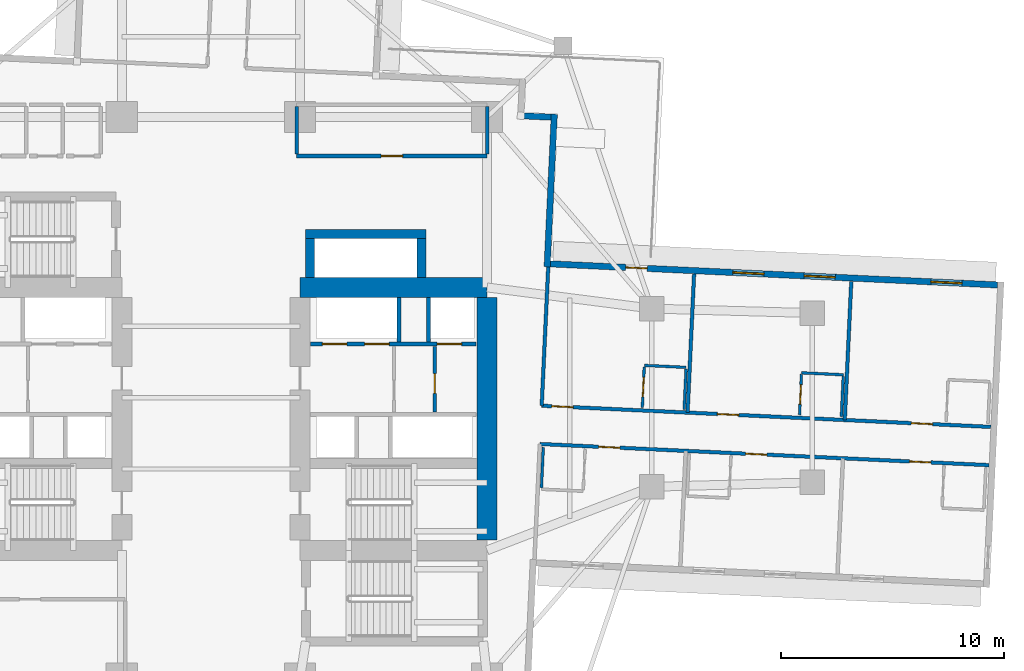
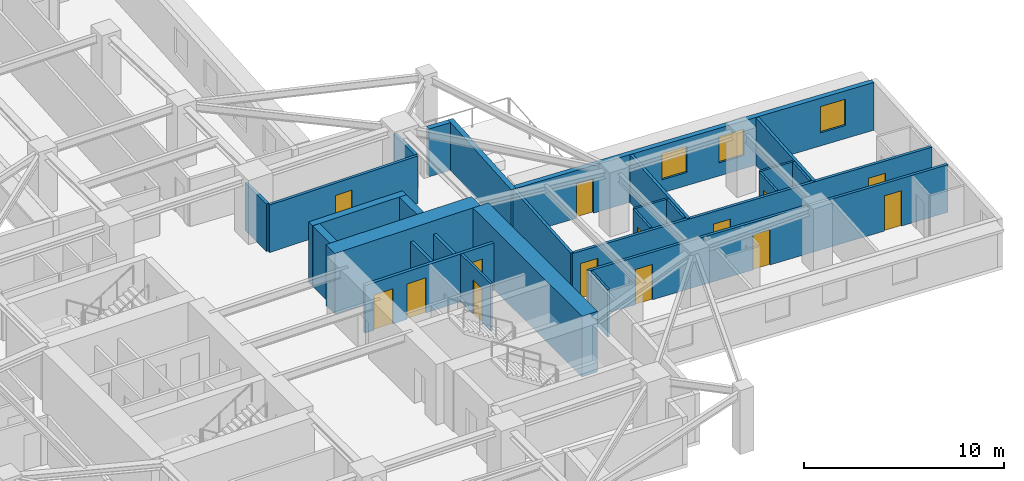
# One storey, part 7 of 14: 27 walls, 14 doors, 3 windows, 17 openings.
"""IFC4 building model written with IfcOpenShell, lengths in metres."""

from ifc_helpers import new_model, si_unit, direction, frame, frame_2d, origin, place, context, subcontext, project, spatial, rectangle, extrude, material, layer, layer_set, type_object, element, fill, save


model = new_model("IFC4")

# Units and contexts
model_context = context("Model", 3, precision=1e-05, world=origin(), true_north=direction((0.0, 1.0)))
body_context = subcontext(model_context, "Body", "Model", "MODEL_VIEW")
ifc_project = project(units=[si_unit("LENGTHUNIT", "METRE"), si_unit("AREAUNIT", "SQUARE_METRE"), si_unit("VOLUMEUNIT", "CUBIC_METRE"), si_unit("PLANEANGLEUNIT", "RADIAN"), si_unit("MASSUNIT", "GRAM", prefix="KILO")], contexts=[model_context])

# Site, building, storey
site_placement = place(None, origin())
site = spatial("IfcSite", under=ifc_project, at=site_placement, CompositionType="ELEMENT")
building_placement = place(site_placement, origin())
building = spatial("IfcBuilding", under=site, at=building_placement, Name="Qingluan Cross Belvedere", CompositionType="ELEMENT")
storey_placement = place(building_placement, frame((0.0, 0.0, 75.60009765625)))
storey = spatial("IfcBuildingStorey", under=building, at=storey_placement, Name="L19", CompositionType="ELEMENT", Elevation=75.60009765625)

# Walls
ifc_material_1 = material(Name="Concrete C50", Category="concrete")
ifc_layer_1 = layer(ifc_material_1, 0.449951171875, Name="CoreShearWall_450")
ifc_layer_set_1 = layer_set([ifc_layer_1], Name="Concrete C50")
wall_type_1 = type_object("IfcWallType", Name="CoreShearWall_450", PredefinedType="SHEAR", material=ifc_layer_set_1)
wall_1_placement = place(storey_placement, frame((4.449951171875, 5.405029296875, 0.0), z_axis=(0.0, 0.0, 1.0), x_axis=(0.0, 1.0, 0.0)))
element("IfcWall", 1, at=wall_1_placement, inside=storey, type_object=wall_type_1, Name="Express shuttle core wall L19-W", PredefinedType="SHEAR", context=body_context, shape_type="SweptSolid", body=[
    extrude(rectangle(XDim=1.73486328125, YDim=0.39990234375, at=frame_2d((0.867431640625, 0.0))), origin(), (0.0, 0.0, 1.0), 3.699951171875),
])
wall_2_placement = place(storey_placement, frame((4.25, 7.35009765625, 0.0), z_axis=(0.0, 0.0, 1.0), x_axis=(1.0, 0.0, 0.0)))
element("IfcWall", 2, at=wall_2_placement, inside=storey, type_object=wall_type_1, Name="Express shuttle core wall L19-N", PredefinedType="SHEAR", context=body_context, shape_type="SweptSolid", body=[
    extrude(rectangle(XDim=5.39990234375, YDim=0.39990234375, at=frame_2d((2.699951171875, 0.0))), origin(), (0.0, 0.0, 1.0), 3.699951171875),
])
wall_3_placement = place(storey_placement, frame((9.449951171875, 5.405029296875, 0.0), z_axis=(0.0, 0.0, 1.0), x_axis=(0.0, 1.0, 0.0)))
element("IfcWall", 3, at=wall_3_placement, inside=storey, type_object=wall_type_1, Name="Express shuttle core wall L19-E", PredefinedType="SHEAR", context=body_context, shape_type="SweptSolid", body=[
    extrude(rectangle(XDim=1.73486328125, YDim=0.39990234375, at=frame_2d((0.867431640625, 0.0))), origin(), (0.0, 0.0, 1.0), 3.699951171875),
])
ifc_material_2 = material(Name="Concrete C70", Category="concrete")
ifc_layer_2 = layer(ifc_material_2, 0.89990234375, Name="CoreShearWall_900")
ifc_layer_set_2 = layer_set([ifc_layer_2], Name="Concrete C70")
wall_type_2 = type_object("IfcWallType", Name="CoreShearWall_900", PredefinedType="SHEAR", material=ifc_layer_set_2)
wall_4_placement = place(storey_placement, frame((4.0, 4.949951171875, 0.0), z_axis=(0.0, 0.0, 1.0), x_axis=(1.0, 0.0, 0.0)))
element("IfcWall", 4, at=wall_4_placement, inside=storey, type_object=wall_type_2, Name="Split core E shear wall L19-N", PredefinedType="SHEAR", context=body_context, shape_type="SweptSolid", body=[
    extrude(rectangle(XDim=8.39990234375, YDim=0.89990234375, at=frame_2d((4.199951171875, 0.0))), origin(), (0.0, 0.0, 1.0), 3.699951171875),
])
wall_5_placement = place(storey_placement, frame((12.39990234375, -6.39501953125, 0.0), z_axis=(0.0, 0.0, 1.0), x_axis=(0.0, 1.0, 0.0)))
element("IfcWall", 5, at=wall_5_placement, inside=storey, type_object=wall_type_2, Name="Split core E shear wall L19-E", PredefinedType="SHEAR", context=body_context, shape_type="SweptSolid", body=[
    extrude(rectangle(XDim=10.89013671875, YDim=0.89990234375, at=frame_2d((5.445068359375, 0.0))), origin(), (0.0, 0.0, 1.0), 3.699951171875),
])

# Wall, opening, door
ifc_material_3 = material(Name="Gypsum plasterboard on steel stud acoustic partition", Category="steel")
ifc_layer_3 = layer(ifc_material_3, 0.159912109375, Name="CorridorPartition_160")
ifc_layer_set_3 = layer_set([ifc_layer_3], Name="Gypsum plasterboard on steel stud acoustic partition")
wall_type_3 = type_object("IfcWallType", Name="CorridorPartition_160", PredefinedType="PARTITIONING", material=ifc_layer_set_3)
wall_6_placement = place(storey_placement, frame((10.050048828125, -0.652099609375, 0.0), z_axis=(0.0, 0.0, 1.0), x_axis=(0.0, 1.0, 0.0)))
wall_6 = element("IfcWall", 6, at=wall_6_placement, inside=storey, type_object=wall_type_3, Name="Partition L19:ev", PredefinedType="PARTITIONING", context=body_context, shape_type="SweptSolid", body=[
    extrude(rectangle(XDim=2.962158203125, YDim=0.139892578125, at=frame_2d((1.48095703125, 0.0))), origin(), (0.0, 0.0, 1.0), 2.89990234375),
])
opening_1_placement = place(wall_6_placement, frame((0.85009765625, 0.0, 0.0)))
opening_1 = element("IfcOpeningElement", 7, at=opening_1_placement, cuts=wall_6, Name="Opening FD-B10", PredefinedType="OPENING", context=body_context, shape_type="SweptSolid", body=[
    extrude(rectangle(XDim=0.8798828125, YDim=2.10009765625, at=frame_2d((0.43994140625, 1.050048828125))), frame((0.0, 0.079833984375, 0.0), z_axis=(0.0, -1.0, 0.0), x_axis=(1.0, 0.0, 0.0)), (0.0, 0.0, 1.0), 0.159912109375),
])
ifc_material_4 = material(Name="Steel Class B service fire door", Category="steel")
door_type_1 = type_object("IfcDoorType", Name="RiserServiceFireDoor_FDB", OperationType="NOTDEFINED", PredefinedType="DOOR", material=ifc_material_4)
door_1_placement = place(opening_1_placement, origin())
door_1 = element("IfcDoor", 8, at=door_1_placement, inside=storey, type_object=door_type_1, Name="Service closet inner door L19", OperationType="SINGLE_SWING_LEFT", OverallHeight=2.10009765625, OverallWidth=0.8798828125, PredefinedType="DOOR", context=body_context, shape_type="SweptSolid", body=[
    extrude(rectangle(XDim=0.8798828125, YDim=2.10009765625, at=frame_2d((0.43994140625, 1.050048828125))), frame((0.0, 0.02490234375, 0.0), z_axis=(0.0, -1.0, 0.0), x_axis=(1.0, 0.0, 0.0)), (0.0, 0.0, 1.0), 0.050048828125),
])
fill(opening_1, door_1)

wall_7_placement = place(storey_placement, frame((3.85009765625, 10.85009765625, 0.0), z_axis=(0.0, 0.0, 1.0), x_axis=(1.0, 0.0, 0.0)))
wall_7 = element("IfcWall", 9, at=wall_7_placement, inside=storey, type_object=wall_type_3, Name="Partition L19:q_ne:S", PredefinedType="PARTITIONING", context=body_context, shape_type="SweptSolid", body=[
    extrude(rectangle(XDim=8.5498046875, YDim=0.159912109375, at=frame_2d((4.27490234375, 0.0))), origin(), (0.0, 0.0, 1.0), 2.89990234375),
])
opening_2_placement = place(wall_7_placement, frame((3.794921875, 0.0, 0.0)))
opening_2 = element("IfcOpeningElement", 10, at=opening_2_placement, cuts=wall_7, Name="Opening GD-10", PredefinedType="OPENING", context=body_context, shape_type="SweptSolid", body=[
    extrude(rectangle(XDim=0.9599609375, YDim=2.14990234375, at=frame_2d((0.47998046875, 1.074951171875))), frame((0.0, 0.08984375, 0.0), z_axis=(0.0, -1.0, 0.0), x_axis=(1.0, 0.0, 0.0)), (0.0, 0.0, 1.0), 0.179931640625),
])
ifc_material_5 = material(Name="Timber oak fire-rated acoustic guestroom door", Category="wood")
door_type_2 = type_object("IfcDoorType", Name="GuestEntryDoor_FD60", OperationType="NOTDEFINED", PredefinedType="DOOR", material=ifc_material_5)
door_2_placement = place(opening_2_placement, origin())
door_2 = element("IfcDoor", 11, at=door_2_placement, inside=storey, type_object=door_type_2, Name="Cantonese tea lounge L19 door", OperationType="SINGLE_SWING_LEFT", OverallHeight=2.14990234375, OverallWidth=0.9599609375, PredefinedType="DOOR", context=body_context, shape_type="SweptSolid", body=[
    extrude(rectangle(XDim=0.9599609375, YDim=2.14990234375, at=frame_2d((0.47998046875, 1.074951171875))), frame((0.0, 0.02490234375, 0.0), z_axis=(0.0, -1.0, 0.0), x_axis=(1.0, 0.0, 0.0)), (0.0, 0.0, 1.0), 0.050048828125),
])
fill(opening_2, door_2)

# Walls
for number, where, z_axis, x_axis, name in (
    (12, (3.85009765625, 10.93505859375, 0.0), (0.0, 0.0, 1.0), (0.0, 1.0, 0.0), "Partition L19:q_ne:W"),
    (13, (12.39990234375, 10.93505859375, 0.0), (0.0, 0.0, 1.0), (0.0, 1.0, 0.0), "Partition L19:q_ne:E"),
):
    element("IfcWall", number, at=place(storey_placement, frame(where, z_axis=z_axis, x_axis=x_axis)), inside=storey, type_object=wall_type_3, Name=name, PredefinedType="PARTITIONING", context=body_context, shape_type="SweptSolid", body=[
        extrude(rectangle(XDim=2.1298828125, YDim=0.159912109375, at=frame_2d((1.06494140625, 0.0))), origin(), (0.0, 0.0, 1.0), 2.89990234375),
    ])

# Wall, openings, doors
wall_8_placement = place(storey_placement, frame((14.849609375, -0.35986328125, 0.0), z_axis=(0.0, 0.0, 1.0), x_axis=(0.998889899911, -0.047105921672, 0.0)))
wall_8 = element("IfcWall", 14, at=wall_8_placement, inside=storey, type_object=wall_type_3, Name="Partition L19:E:c0", PredefinedType="PARTITIONING", context=body_context, shape_type="SweptSolid", body=[
    extrude(rectangle(XDim=20.181884765625, YDim=0.159912109375, at=frame_2d((10.0908203125, 0.0))), origin(), (0.0, 0.0, 1.0), 2.89990234375),
])
opening_3_placement = place(wall_8_placement, frame((0.449951171875, 0.0, 0.0)))
opening_3 = element("IfcOpeningElement", 15, at=opening_3_placement, cuts=wall_8, Name="Opening GD-10", PredefinedType="OPENING", context=body_context, shape_type="SweptSolid", body=[
    extrude(rectangle(XDim=0.9599609375, YDim=2.14990234375, at=frame_2d((0.47998046875, 1.074951171875))), frame((0.0, 0.08984375, 0.0), z_axis=(0.0, -1.0, 0.0), x_axis=(1.0, 0.0, 0.0)), (0.0, 0.0, 1.0), 0.179931640625),
])
opening_4_placement = place(wall_8_placement, frame((7.89599609375, 0.0, 0.0)))
opening_4 = element("IfcOpeningElement", 16, at=opening_4_placement, cuts=wall_8, Name="Opening GD-10", PredefinedType="OPENING", context=body_context, shape_type="SweptSolid", body=[
    extrude(rectangle(XDim=0.9599609375, YDim=2.14990234375, at=frame_2d((0.47998046875, 1.074951171875))), frame((0.0, 0.08984375, 0.0), z_axis=(0.0, -1.0, 0.0), x_axis=(1.0, 0.0, 0.0)), (0.0, 0.0, 1.0), 0.179931640625),
])
opening_5_placement = place(wall_8_placement, frame((16.611083984375, 0.0, 0.0)))
opening_5 = element("IfcOpeningElement", 17, at=opening_5_placement, cuts=wall_8, Name="Opening GD-10", PredefinedType="OPENING", context=body_context, shape_type="SweptSolid", body=[
    extrude(rectangle(XDim=0.9599609375, YDim=2.14990234375, at=frame_2d((0.47998046875, 1.074951171875))), frame((0.0, 0.08984375, 0.0), z_axis=(0.0, -1.0, 0.0), x_axis=(1.0, 0.0, 0.0)), (0.0, 0.0, 1.0), 0.179931640625),
])
door_3_placement = place(opening_3_placement, origin())
door_3 = element("IfcDoor", 18, at=door_3_placement, inside=storey, type_object=door_type_2, Name="Guest entry fire door 1901", OperationType="SINGLE_SWING_LEFT", OverallHeight=2.14990234375, OverallWidth=0.9599609375, PredefinedType="DOOR", context=body_context, shape_type="SweptSolid", body=[
    extrude(rectangle(XDim=0.9599609375, YDim=2.14990234375, at=frame_2d((0.47998046875, 1.074951171875))), frame((0.0, 0.02490234375, 0.0), z_axis=(0.0, -1.0, 0.0), x_axis=(1.0, 0.0, 0.0)), (0.0, 0.0, 1.0), 0.050048828125),
])
fill(opening_3, door_3)
door_4_placement = place(opening_4_placement, origin())
door_4 = element("IfcDoor", 19, at=door_4_placement, inside=storey, type_object=door_type_2, Name="Guest entry fire door 1902", OperationType="SINGLE_SWING_LEFT", OverallHeight=2.14990234375, OverallWidth=0.9599609375, PredefinedType="DOOR", context=body_context, shape_type="SweptSolid", body=[
    extrude(rectangle(XDim=0.9599609375, YDim=2.14990234375, at=frame_2d((0.47998046875, 1.074951171875))), frame((0.0, 0.02490234375, 0.0), z_axis=(0.0, -1.0, 0.0), x_axis=(1.0, 0.0, 0.0)), (0.0, 0.0, 1.0), 0.050048828125),
])
fill(opening_4, door_4)
door_5_placement = place(opening_5_placement, origin())
door_5 = element("IfcDoor", 20, at=door_5_placement, inside=storey, type_object=door_type_2, Name="Guest entry fire door 1903", OperationType="SINGLE_SWING_LEFT", OverallHeight=2.14990234375, OverallWidth=0.9599609375, PredefinedType="DOOR", context=body_context, shape_type="SweptSolid", body=[
    extrude(rectangle(XDim=0.9599609375, YDim=2.14990234375, at=frame_2d((0.47998046875, 1.074951171875))), frame((0.0, 0.02490234375, 0.0), z_axis=(0.0, -1.0, 0.0), x_axis=(1.0, 0.0, 0.0)), (0.0, 0.0, 1.0), 0.050048828125),
])
fill(opening_5, door_5)

# Walls
for number, where, z_axis, x_axis, name in (
    (21, (14.849609375, -0.35986328125, 0.0), (0.0, 0.0, 1.0), (0.047088659425, 0.998890713819, 0.0), "Partition L19:E:s0"),
    (22, (21.398193359375, -0.668701171875, 0.0), (0.0, 0.0, 1.0), (0.047127747709, 0.998888870393, 0.0), "Partition L19:E:d0_0"),
):
    element("IfcWall", number, at=place(storey_placement, frame(where, z_axis=z_axis, x_axis=x_axis)), inside=storey, type_object=wall_type_3, Name=name, PredefinedType="PARTITIONING", context=body_context, shape_type="SweptSolid", body=[
        extrude(rectangle(XDim=6.23193359375, YDim=0.159912109375, at=frame_2d((3.115966796875, 0.0))), origin(), (0.0, 0.0, 1.0), 2.89990234375),
    ])
wall_9_placement = place(storey_placement, frame((28.455322265625, -1.00146484375, 0.0), z_axis=(0.0, 0.0, 1.0), x_axis=(0.047090502161, 0.998890626949, 0.0)))
element("IfcWall", 23, at=wall_9_placement, inside=storey, type_object=wall_type_3, Name="Partition L19:E:d0_1", PredefinedType="PARTITIONING", context=body_context, shape_type="SweptSolid", body=[
    extrude(rectangle(XDim=6.231689453125, YDim=0.159912109375, at=frame_2d((3.11572265625, 0.0))), origin(), (0.0, 0.0, 1.0), 2.89990234375),
])

# Wall, openings, doors
wall_10_placement = place(storey_placement, frame((14.7685546875, -2.077880859375, 0.0), z_axis=(0.0, 0.0, 1.0), x_axis=(0.998889330628, -0.047117991871, 0.0)))
wall_10 = element("IfcWall", 24, at=wall_10_placement, inside=storey, type_object=wall_type_3, Name="Partition L19:E:c1", PredefinedType="PARTITIONING", context=body_context, shape_type="SweptSolid", body=[
    extrude(rectangle(XDim=20.181884765625, YDim=0.159912109375, at=frame_2d((10.0908203125, 0.0))), origin(), (0.0, 0.0, 1.0), 2.89990234375),
])
opening_6_placement = place(wall_10_placement, frame((2.635986328125, 0.0, 0.0)))
opening_6 = element("IfcOpeningElement", 25, at=opening_6_placement, cuts=wall_10, Name="Opening GD-10", PredefinedType="OPENING", context=body_context, shape_type="SweptSolid", body=[
    extrude(rectangle(XDim=0.9599609375, YDim=2.14990234375, at=frame_2d((0.47998046875, 1.074951171875))), frame((0.0, 0.08984375, 0.0), z_axis=(0.0, -1.0, 0.0), x_axis=(1.0, 0.0, 0.0)), (0.0, 0.0, 1.0), 0.179931640625),
])
opening_7_placement = place(wall_10_placement, frame((9.242919921875, 0.0, 0.0)))
opening_7 = element("IfcOpeningElement", 26, at=opening_7_placement, cuts=wall_10, Name="Opening GD-10", PredefinedType="OPENING", context=body_context, shape_type="SweptSolid", body=[
    extrude(rectangle(XDim=0.9599609375, YDim=2.14990234375, at=frame_2d((0.47998046875, 1.074951171875))), frame((0.0, 0.08984375, 0.0), z_axis=(0.0, -1.0, 0.0), x_axis=(1.0, 0.0, 0.0)), (0.0, 0.0, 1.0), 0.179931640625),
])
opening_8_placement = place(wall_10_placement, frame((16.611083984375, 0.0, 0.0)))
opening_8 = element("IfcOpeningElement", 27, at=opening_8_placement, cuts=wall_10, Name="Opening GD-10", PredefinedType="OPENING", context=body_context, shape_type="SweptSolid", body=[
    extrude(rectangle(XDim=0.9599609375, YDim=2.14990234375, at=frame_2d((0.47998046875, 1.074951171875))), frame((0.0, 0.08984375, 0.0), z_axis=(0.0, -1.0, 0.0), x_axis=(1.0, 0.0, 0.0)), (0.0, 0.0, 1.0), 0.179931640625),
])
door_6_placement = place(opening_6_placement, origin())
door_6 = element("IfcDoor", 28, at=door_6_placement, inside=storey, type_object=door_type_2, Name="Guest entry fire door 1904", OperationType="SINGLE_SWING_LEFT", OverallHeight=2.14990234375, OverallWidth=0.9599609375, PredefinedType="DOOR", context=body_context, shape_type="SweptSolid", body=[
    extrude(rectangle(XDim=0.9599609375, YDim=2.14990234375, at=frame_2d((0.47998046875, 1.074951171875))), frame((0.0, 0.02490234375, 0.0), z_axis=(0.0, -1.0, 0.0), x_axis=(1.0, 0.0, 0.0)), (0.0, 0.0, 1.0), 0.050048828125),
])
fill(opening_6, door_6)
door_7_placement = place(opening_7_placement, origin())
door_7 = element("IfcDoor", 29, at=door_7_placement, inside=storey, type_object=door_type_2, Name="Guest entry fire door 1905", OperationType="SINGLE_SWING_LEFT", OverallHeight=2.14990234375, OverallWidth=0.9599609375, PredefinedType="DOOR", context=body_context, shape_type="SweptSolid", body=[
    extrude(rectangle(XDim=0.9599609375, YDim=2.14990234375, at=frame_2d((0.47998046875, 1.074951171875))), frame((0.0, 0.02490234375, 0.0), z_axis=(0.0, -1.0, 0.0), x_axis=(1.0, 0.0, 0.0)), (0.0, 0.0, 1.0), 0.050048828125),
])
fill(opening_7, door_7)
door_8_placement = place(opening_8_placement, origin())
door_8 = element("IfcDoor", 30, at=door_8_placement, inside=storey, type_object=door_type_2, Name="Guest entry fire door 1906", OperationType="SINGLE_SWING_LEFT", OverallHeight=2.14990234375, OverallWidth=0.9599609375, PredefinedType="DOOR", context=body_context, shape_type="SweptSolid", body=[
    extrude(rectangle(XDim=0.9599609375, YDim=2.14990234375, at=frame_2d((0.47998046875, 1.074951171875))), frame((0.0, 0.02490234375, 0.0), z_axis=(0.0, -1.0, 0.0), x_axis=(1.0, 0.0, 0.0)), (0.0, 0.0, 1.0), 0.050048828125),
])
fill(opening_8, door_8)

# Wall, opening, door
ifc_material_6 = material(Name="Moisture-resistant gypsum board lining")
ifc_layer_4 = layer(ifc_material_6, 0.1201171875, Name="EnsuiteWetPartition_120")
ifc_layer_set_4 = layer_set([ifc_layer_4], Name="Moisture-resistant gypsum board lining")
wall_type_4 = type_object("IfcWallType", Name="EnsuiteWetPartition_120", PredefinedType="PARTITIONING", material=ifc_layer_set_4)
wall_11_placement = place(storey_placement, frame((19.3671875, -0.432861328125, 0.0), z_axis=(0.0, 0.0, 1.0), x_axis=(0.047080807099, 0.998891083954, 0.0)))
wall_11 = element("IfcWall", 31, at=wall_11_placement, inside=storey, type_object=wall_type_4, Name="Partition L19:E:bs0_0", PredefinedType="PARTITIONING", context=body_context, shape_type="SweptSolid", body=[
    extrude(rectangle(XDim=1.820068359375, YDim=0.1201171875, at=frame_2d((0.91015625, 0.0))), origin(), (0.0, 0.0, 1.0), 2.89990234375),
])
opening_9_placement = place(wall_11_placement, frame((0.469970703125, 0.0, 0.0)))
opening_9 = element("IfcOpeningElement", 32, at=opening_9_placement, cuts=wall_11, Name="Opening BD-09", PredefinedType="OPENING", context=body_context, shape_type="SweptSolid", body=[
    extrude(rectangle(XDim=0.8798828125, YDim=2.10009765625, at=frame_2d((0.43994140625, 1.050048828125))), frame((0.0, 0.070068359375, 0.0), z_axis=(0.0, -1.0, 0.0), x_axis=(1.0, 0.0, 0.0)), (0.0, 0.0, 1.0), 0.14013671875),
])
ifc_material_7 = material(Name="Moisture-sealed timber en-suite door", Category="wood")
door_type_3 = type_object("IfcDoorType", Name="BathroomDoor_880", OperationType="NOTDEFINED", PredefinedType="DOOR", material=ifc_material_7)
door_9_placement = place(opening_9_placement, origin())
door_9 = element("IfcDoor", 33, at=door_9_placement, inside=storey, type_object=door_type_3, Name="Bathroom door 1901", OperationType="SINGLE_SWING_RIGHT", OverallHeight=2.10009765625, OverallWidth=0.8798828125, PredefinedType="DOOR", context=body_context, shape_type="SweptSolid", body=[
    extrude(rectangle(XDim=0.8798828125, YDim=2.10009765625, at=frame_2d((0.43994140625, 1.050048828125))), frame((0.0, 0.02490234375, 0.0), z_axis=(0.0, -1.0, 0.0), x_axis=(1.0, 0.0, 0.0)), (0.0, 0.0, 1.0), 0.050048828125),
])
fill(opening_9, door_9)

# Walls
wall_12_placement = place(storey_placement, frame((21.2451171875, -0.521484375, 0.0), z_axis=(0.0, 0.0, 1.0), x_axis=(0.047080807099, 0.998891083954, 0.0)))
element("IfcWall", 34, at=wall_12_placement, inside=storey, type_object=wall_type_4, Name="Partition L19:E:bw0_0", PredefinedType="PARTITIONING", context=body_context, shape_type="SweptSolid", body=[
    extrude(rectangle(XDim=1.820068359375, YDim=0.1201171875, at=frame_2d((0.91015625, 0.0))), origin(), (0.0, 0.0, 1.0), 2.89990234375),
])
wall_13_placement = place(storey_placement, frame((19.455810546875, 1.4501953125, 0.0), z_axis=(0.0, 0.0, 1.0), x_axis=(0.998888319371, -0.047139425368, 0.0)))
element("IfcWall", 35, at=wall_13_placement, inside=storey, type_object=wall_type_4, Name="Partition L19:E:bn0_0", PredefinedType="PARTITIONING", context=body_context, shape_type="SweptSolid", body=[
    extrude(rectangle(XDim=1.880126953125, YDim=0.1201171875, at=frame_2d((0.93994140625, 0.0))), origin(), (0.0, 0.0, 1.0), 2.89990234375),
])

# Wall, opening, door
wall_14_placement = place(storey_placement, frame((26.42431640625, -0.765625, 0.0), z_axis=(0.0, 0.0, 1.0), x_axis=(0.047080807099, 0.998891083954, 0.0)))
wall_14 = element("IfcWall", 36, at=wall_14_placement, inside=storey, type_object=wall_type_4, Name="Partition L19:E:bs0_1", PredefinedType="PARTITIONING", context=body_context, shape_type="SweptSolid", body=[
    extrude(rectangle(XDim=1.820068359375, YDim=0.1201171875, at=frame_2d((0.91015625, 0.0))), origin(), (0.0, 0.0, 1.0), 2.89990234375),
])
opening_10_placement = place(wall_14_placement, frame((0.469970703125, 0.0, 0.0)))
opening_10 = element("IfcOpeningElement", 37, at=opening_10_placement, cuts=wall_14, Name="Opening BD-09", PredefinedType="OPENING", context=body_context, shape_type="SweptSolid", body=[
    extrude(rectangle(XDim=0.8798828125, YDim=2.10009765625, at=frame_2d((0.43994140625, 1.050048828125))), frame((0.0, 0.070068359375, 0.0), z_axis=(0.0, -1.0, 0.0), x_axis=(1.0, 0.0, 0.0)), (0.0, 0.0, 1.0), 0.14013671875),
])
door_10_placement = place(opening_10_placement, origin())
door_10 = element("IfcDoor", 38, at=door_10_placement, inside=storey, type_object=door_type_3, Name="Bathroom door 1902", OperationType="SINGLE_SWING_RIGHT", OverallHeight=2.10009765625, OverallWidth=0.8798828125, PredefinedType="DOOR", context=body_context, shape_type="SweptSolid", body=[
    extrude(rectangle(XDim=0.8798828125, YDim=2.10009765625, at=frame_2d((0.43994140625, 1.050048828125))), frame((0.0, 0.02490234375, 0.0), z_axis=(0.0, -1.0, 0.0), x_axis=(1.0, 0.0, 0.0)), (0.0, 0.0, 1.0), 0.050048828125),
])
fill(opening_10, door_10)

# Walls
wall_15_placement = place(storey_placement, frame((28.30224609375, -0.854248046875, 0.0), z_axis=(0.0, 0.0, 1.0), x_axis=(0.047080807099, 0.998891083954, 0.0)))
element("IfcWall", 39, at=wall_15_placement, inside=storey, type_object=wall_type_4, Name="Partition L19:E:bw0_1", PredefinedType="PARTITIONING", context=body_context, shape_type="SweptSolid", body=[
    extrude(rectangle(XDim=1.820068359375, YDim=0.1201171875, at=frame_2d((0.91015625, 0.0))), origin(), (0.0, 0.0, 1.0), 2.89990234375),
])
wall_16_placement = place(storey_placement, frame((26.51318359375, 1.1171875, 0.0), z_axis=(0.0, 0.0, 1.0), x_axis=(0.998894425757, -0.04700985207, 0.0)))
element("IfcWall", 40, at=wall_16_placement, inside=storey, type_object=wall_type_4, Name="Partition L19:E:bn0_1", PredefinedType="PARTITIONING", context=body_context, shape_type="SweptSolid", body=[
    extrude(rectangle(XDim=1.880126953125, YDim=0.1201171875, at=frame_2d((0.93994140625, 0.0))), origin(), (0.0, 0.0, 1.0), 2.89990234375),
])
wall_17_placement = place(storey_placement, frame((14.8359375, -4.04345703125, 0.0), z_axis=(0.0, 0.0, 1.0), x_axis=(0.047080807099, 0.998891083954, 0.0)))
element("IfcWall", 41, at=wall_17_placement, inside=storey, type_object=wall_type_4, Name="Partition L19:E:bw1_0", PredefinedType="PARTITIONING", context=body_context, shape_type="SweptSolid", body=[
    extrude(rectangle(XDim=1.820068359375, YDim=0.1201171875, at=frame_2d((0.91015625, 0.0))), origin(), (0.0, 0.0, 1.0), 2.89990234375),
])

# Wall, openings, windows, door
ifc_material_8 = material(Name="Precast concrete C45", Category="concrete")
ifc_layer_5 = layer(ifc_material_8, 0.280029296875, Name="PrecastFacadeWall_280")
ifc_layer_set_5 = layer_set([ifc_layer_5], Name="Precast concrete C45")
wall_type_5 = type_object("IfcWallType", Name="PrecastFacadeWall_280", PredefinedType="STANDARD", material=ifc_layer_set_5)
wall_18_placement = place(storey_placement, frame((35.317626953125, 5.06201171875, 0.0), z_axis=(0.0, 0.0, 1.0), x_axis=(-0.998890015344, 0.047103473814, 0.0)))
wall_18 = element("IfcWall", 42, at=wall_18_placement, inside=storey, type_object=wall_type_5, Name="Facade wall L19-EB", PredefinedType="STANDARD", context=body_context, shape_type="SweptSolid", body=[
    extrude(rectangle(XDim=20.099853515625, YDim=0.280029296875, at=frame_2d((10.0498046875, 0.0))), origin(), (0.0, 0.0, 1.0), 2.909912109375),
])
opening_11_placement = place(wall_18_placement, frame((1.60009765625, 0.0, 0.800048828125)))
opening_11 = element("IfcOpeningElement", 43, at=opening_11_placement, cuts=wall_18, Name="Opening W-01", PredefinedType="OPENING", context=body_context, shape_type="SweptSolid", body=[
    extrude(rectangle(XDim=1.39990234375, YDim=1.60009765625, at=frame_2d((0.699951171875, 0.800048828125))), frame((0.0, 0.14990234375, 0.0), z_axis=(0.0, -1.0, 0.0), x_axis=(1.0, 0.0, 0.0)), (0.0, 0.0, 1.0), 0.300048828125),
])
opening_12_placement = place(wall_18_placement, frame((7.300048828125, 0.0, 0.800048828125)))
opening_12 = element("IfcOpeningElement", 44, at=opening_12_placement, cuts=wall_18, Name="Opening W-01", PredefinedType="OPENING", context=body_context, shape_type="SweptSolid", body=[
    extrude(rectangle(XDim=1.39990234375, YDim=1.60009765625, at=frame_2d((0.699951171875, 0.800048828125))), frame((0.0, 0.14990234375, 0.0), z_axis=(0.0, -1.0, 0.0), x_axis=(1.0, 0.0, 0.0)), (0.0, 0.0, 1.0), 0.300048828125),
])
opening_13_placement = place(wall_18_placement, frame((10.5, 0.0, 0.800048828125)))
opening_13 = element("IfcOpeningElement", 45, at=opening_13_placement, cuts=wall_18, Name="Opening W-01", PredefinedType="OPENING", context=body_context, shape_type="SweptSolid", body=[
    extrude(rectangle(XDim=1.39990234375, YDim=1.60009765625, at=frame_2d((0.699951171875, 0.800048828125))), frame((0.0, 0.14990234375, 0.0), z_axis=(0.0, -1.0, 0.0), x_axis=(1.0, 0.0, 0.0)), (0.0, 0.0, 1.0), 0.300048828125),
])
opening_14_placement = place(wall_18_placement, frame((15.75, 0.0, 0.0)))
opening_14 = element("IfcOpeningElement", 46, at=opening_14_placement, cuts=wall_18, Name="Opening WD-10", PredefinedType="OPENING", context=body_context, shape_type="SweptSolid", body=[
    extrude(rectangle(XDim=0.9599609375, YDim=2.10009765625, at=frame_2d((0.47998046875, 1.050048828125))), frame((0.0, 0.14990234375, 0.0), z_axis=(0.0, -1.0, 0.0), x_axis=(1.0, 0.0, 0.0)), (0.0, 0.0, 1.0), 0.300048828125),
])
ifc_material_9 = material(Name="Thermally broken triple Low-E glass in aluminium frame", Category="aluminium")
window_type = type_object("IfcWindowType", Name="TriRibbonWin_1400x1600", PartitioningType="SINGLE_PANEL", PredefinedType="WINDOW", material=ifc_material_9)
window_1_placement = place(opening_11_placement, origin())
window_1 = element("IfcWindow", 47, at=window_1_placement, inside=storey, type_object=window_type, Name="Ribbon window L19-EB-1", OverallHeight=1.60009765625, OverallWidth=1.39990234375, PartitioningType="SINGLE_PANEL", PredefinedType="WINDOW", context=body_context, shape_type="SweptSolid", body=[
    extrude(rectangle(XDim=1.39990234375, YDim=1.60009765625, at=frame_2d((0.699951171875, 0.800048828125))), frame((0.0, 0.030029296875, 0.0), z_axis=(0.0, -1.0, 0.0), x_axis=(1.0, 0.0, 0.0)), (0.0, 0.0, 1.0), 0.06005859375),
])
fill(opening_11, window_1)
window_2_placement = place(opening_12_placement, origin())
window_2 = element("IfcWindow", 48, at=window_2_placement, inside=storey, type_object=window_type, Name="Ribbon window L19-EB-2", OverallHeight=1.60009765625, OverallWidth=1.39990234375, PartitioningType="SINGLE_PANEL", PredefinedType="WINDOW", context=body_context, shape_type="SweptSolid", body=[
    extrude(rectangle(XDim=1.39990234375, YDim=1.60009765625, at=frame_2d((0.699951171875, 0.800048828125))), frame((0.0, 0.030029296875, 0.0), z_axis=(0.0, -1.0, 0.0), x_axis=(1.0, 0.0, 0.0)), (0.0, 0.0, 1.0), 0.06005859375),
])
fill(opening_12, window_2)
window_3_placement = place(opening_13_placement, origin())
window_3 = element("IfcWindow", 49, at=window_3_placement, inside=storey, type_object=window_type, Name="Ribbon window L19-EB-3", OverallHeight=1.60009765625, OverallWidth=1.39990234375, PartitioningType="SINGLE_PANEL", PredefinedType="WINDOW", context=body_context, shape_type="SweptSolid", body=[
    extrude(rectangle(XDim=1.39990234375, YDim=1.60009765625, at=frame_2d((0.699951171875, 0.800048828125))), frame((0.0, 0.030029296875, 0.0), z_axis=(0.0, -1.0, 0.0), x_axis=(1.0, 0.0, 0.0)), (0.0, 0.0, 1.0), 0.06005859375),
])
fill(opening_13, window_3)
ifc_material_10 = material(Name="Thermally broken aluminium and Low-E glass", Category="aluminium")
door_type_4 = type_object("IfcDoorType", Name="WinterGardenDoor_096", OperationType="NOTDEFINED", PredefinedType="DOOR", material=ifc_material_10)
door_11_placement = place(opening_14_placement, origin())
door_11 = element("IfcDoor", 50, at=door_11_placement, inside=storey, type_object=door_type_4, Name="Outdoor terrace access door L19-spi", OperationType="SINGLE_SWING_LEFT", OverallHeight=2.10009765625, OverallWidth=0.9599609375, PredefinedType="DOOR", context=body_context, shape_type="SweptSolid", body=[
    extrude(rectangle(XDim=0.9599609375, YDim=2.10009765625, at=frame_2d((0.47998046875, 1.050048828125))), frame((0.0, 0.02490234375, 0.0), z_axis=(0.0, -1.0, 0.0), x_axis=(1.0, 0.0, 0.0)), (0.0, 0.0, 1.0), 0.050048828125),
])
fill(opening_14, door_11)

# Walls
wall_19_placement = place(storey_placement, frame((15.093505859375, 5.87548828125, 0.0), z_axis=(0.0, 0.0, 1.0), x_axis=(0.04712043756, 0.998889215261, 0.0)))
element("IfcWall", 51, at=wall_19_placement, inside=storey, type_object=wall_type_5, Name="Corner wall L19-NE1", PredefinedType="STANDARD", context=body_context, shape_type="SweptSolid", body=[
    extrude(rectangle(XDim=6.85986328125, YDim=0.280029296875, at=frame_2d((3.429931640625, 0.0))), origin(), (0.0, 0.0, 1.0), 2.909912109375),
])
wall_20_placement = place(storey_placement, frame((15.270263671875, 12.5947265625, 0.0), z_axis=(0.0, 0.0, 1.0), x_axis=(-0.998893795343, 0.047023245574, 0.0)))
element("IfcWall", 52, at=wall_20_placement, inside=storey, type_object=wall_type_5, Name="Corner wall L19-NE2", PredefinedType="STANDARD", context=body_context, shape_type="SweptSolid", body=[
    extrude(rectangle(XDim=1.22021484375, YDim=0.280029296875, at=frame_2d((0.610107421875, 0.0))), origin(), (0.0, 0.0, 1.0), 2.909912109375),
])

# Wall, openings, doors
ifc_material_11 = material(Name="Concrete C40", Category="concrete")
ifc_layer_6 = layer(ifc_material_11, 0.219970703125, Name="ShaftEnclosureWall_250")
ifc_layer_set_6 = layer_set([ifc_layer_6], Name="Concrete C40")
wall_type_6 = type_object("IfcWallType", Name="ShaftEnclosureWall_250", PredefinedType="SOLIDWALL", material=ifc_layer_set_6)
wall_21_placement = place(storey_placement, frame((4.47998046875, 2.409912109375, 0.0), z_axis=(0.0, 0.0, 1.0), x_axis=(1.0, 0.0, 0.0)))
wall_21 = element("IfcWall", 53, at=wall_21_placement, inside=storey, type_object=wall_type_6, Name="Core-E north hoistway wall L19", PredefinedType="SOLIDWALL", context=body_context, shape_type="SweptSolid", body=[
    extrude(rectangle(XDim=7.419921875, YDim=0.179931640625, at=frame_2d((3.7099609375, 0.0))), origin(), (0.0, 0.0, 1.0), 2.89990234375),
])
opening_15_placement = place(wall_21_placement, frame((5.669921875, 0.0, 0.0)))
opening_15 = element("IfcOpeningElement", 54, at=opening_15_placement, cuts=wall_21, Name="Opening LD-11", PredefinedType="OPENING", context=body_context, shape_type="SweptSolid", body=[
    extrude(rectangle(XDim=1.10009765625, YDim=2.14990234375, at=frame_2d((0.550048828125, 1.074951171875))), frame((0.0, 0.099853515625, 0.0), z_axis=(0.0, -1.0, 0.0), x_axis=(1.0, 0.0, 0.0)), (0.0, 0.0, 1.0), 0.199951171875),
])
opening_16_placement = place(wall_21_placement, frame((0.52001953125, 0.0, 0.0)))
opening_16 = element("IfcOpeningElement", 55, at=opening_16_placement, cuts=wall_21, Name="Opening LD-11", PredefinedType="OPENING", context=body_context, shape_type="SweptSolid", body=[
    extrude(rectangle(XDim=1.10009765625, YDim=2.14990234375, at=frame_2d((0.550048828125, 1.074951171875))), frame((0.0, 0.099853515625, 0.0), z_axis=(0.0, -1.0, 0.0), x_axis=(1.0, 0.0, 0.0)), (0.0, 0.0, 1.0), 0.199951171875),
])
opening_17_placement = place(wall_21_placement, frame((2.419921875, 0.0, 0.0)))
opening_17 = element("IfcOpeningElement", 56, at=opening_17_placement, cuts=wall_21, Name="Opening LD-11", PredefinedType="OPENING", context=body_context, shape_type="SweptSolid", body=[
    extrude(rectangle(XDim=1.10009765625, YDim=2.14990234375, at=frame_2d((0.550048828125, 1.074951171875))), frame((0.0, 0.099853515625, 0.0), z_axis=(0.0, -1.0, 0.0), x_axis=(1.0, 0.0, 0.0)), (0.0, 0.0, 1.0), 0.199951171875),
])
ifc_material_12 = material(Name="Brushed stainless steel centre-opening lift landing door", Category="steel")
door_type_5 = type_object("IfcDoorType", Name="LiftLandingSlidingDoor_1100", OperationType="DOUBLE_DOOR_SLIDING", PredefinedType="DOOR", material=ifc_material_12)
door_12_placement = place(opening_15_placement, origin())
door_12 = element("IfcDoor", 57, at=door_12_placement, inside=storey, type_object=door_type_5, Name="Lift landing sliding door FL2 L19", OperationType="DOUBLE_DOOR_SLIDING", OverallHeight=2.14990234375, OverallWidth=1.10009765625, PredefinedType="DOOR", context=body_context, shape_type="SweptSolid", body=[
    extrude(rectangle(XDim=1.10009765625, YDim=2.14990234375, at=frame_2d((0.550048828125, 1.074951171875))), frame((0.0, 0.02490234375, 0.0), z_axis=(0.0, -1.0, 0.0), x_axis=(1.0, 0.0, 0.0)), (0.0, 0.0, 1.0), 0.050048828125),
])
fill(opening_15, door_12)
door_13_placement = place(opening_16_placement, origin())
door_13 = element("IfcDoor", 58, at=door_13_placement, inside=storey, type_object=door_type_5, Name="Lift landing sliding door LP3 L19", OperationType="DOUBLE_DOOR_SLIDING", OverallHeight=2.14990234375, OverallWidth=1.10009765625, PredefinedType="DOOR", context=body_context, shape_type="SweptSolid", body=[
    extrude(rectangle(XDim=1.10009765625, YDim=2.14990234375, at=frame_2d((0.550048828125, 1.074951171875))), frame((0.0, 0.02490234375, 0.0), z_axis=(0.0, -1.0, 0.0), x_axis=(1.0, 0.0, 0.0)), (0.0, 0.0, 1.0), 0.050048828125),
])
fill(opening_16, door_13)
door_14_placement = place(opening_17_placement, origin())
door_14 = element("IfcDoor", 59, at=door_14_placement, inside=storey, type_object=door_type_5, Name="Lift landing sliding door LP4 L19", OperationType="DOUBLE_DOOR_SLIDING", OverallHeight=2.14990234375, OverallWidth=1.10009765625, PredefinedType="DOOR", context=body_context, shape_type="SweptSolid", body=[
    extrude(rectangle(XDim=1.10009765625, YDim=2.14990234375, at=frame_2d((0.550048828125, 1.074951171875))), frame((0.0, 0.02490234375, 0.0), z_axis=(0.0, -1.0, 0.0), x_axis=(1.0, 0.0, 0.0)), (0.0, 0.0, 1.0), 0.050048828125),
])
fill(opening_17, door_14)

# Walls
for number, where, z_axis, x_axis, name in (
    (60, (8.43994140625, 2.5, 0.0), (0.0, 0.0, 1.0), (0.0, 1.0, 0.0), "Hoistway enclosure divider LP4E L19"),
    (61, (9.760009765625, 2.5, 0.0), (0.0, 0.0, 1.0), (0.0, 1.0, 0.0), "Hoistway enclosure divider FL2W L19"),
):
    element("IfcWall", number, at=place(storey_placement, frame(where, z_axis=z_axis, x_axis=x_axis)), inside=storey, type_object=wall_type_6, Name=name, PredefinedType="SOLIDWALL", context=body_context, shape_type="SweptSolid", body=[
        extrude(rectangle(XDim=1.989990234375, YDim=0.179931640625, at=frame_2d((0.9951171875, 0.0))), origin(), (0.0, 0.0, 1.0), 2.89990234375),
    ])

save(model, "model.ifc")
